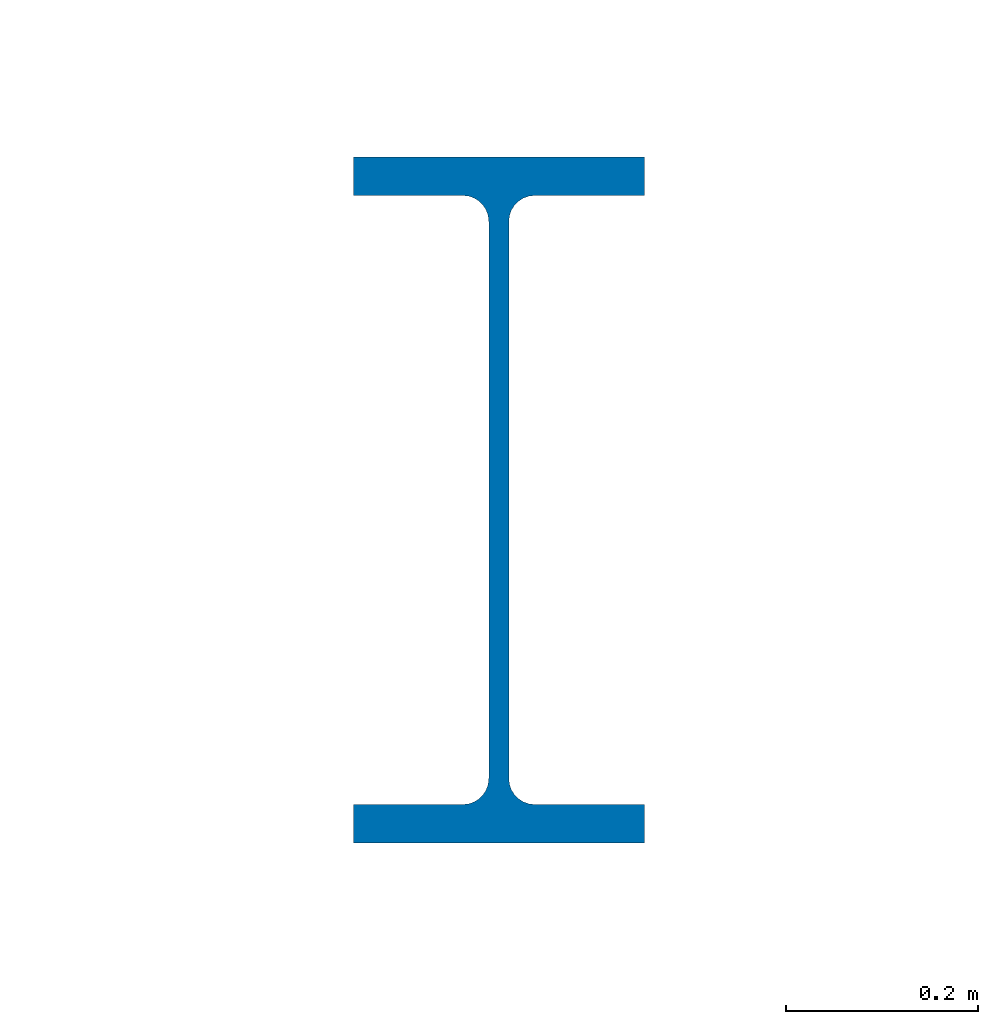
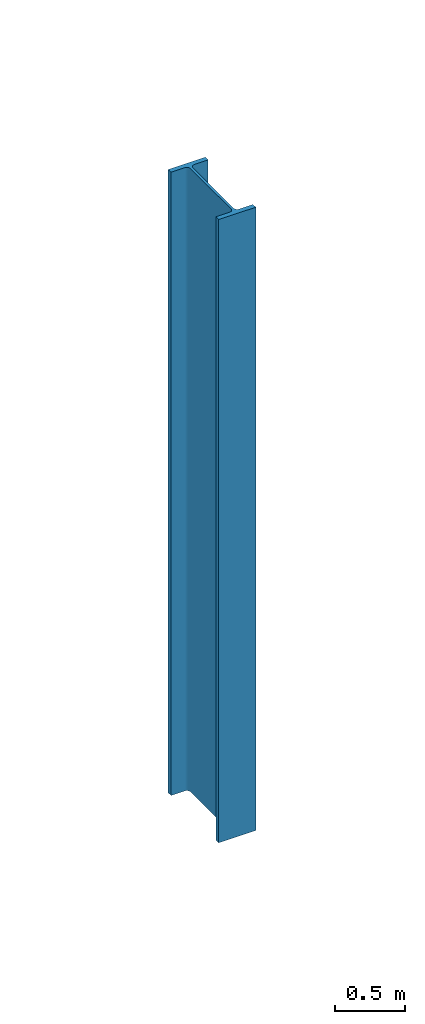
# One storey, part 16 of 84: 1 column.
"""IFC4 building model written with IfcOpenShell, lengths in metres."""

from ifc_helpers import new_model, si_unit, direction, frame, origin, origin_2d, place, context, subcontext, project, spatial, i_section, extrude, material, material_profile, profile_set, type_object, element, save


model = new_model("IFC4")

# Units and contexts
model_context = context("Model", 3, precision=1e-05, world=origin(), true_north=direction((0.0, 1.0)))
body_context = subcontext(model_context, "Body", "Model", "MODEL_VIEW")
ifc_project = project(units=[si_unit("LENGTHUNIT", "METRE"), si_unit("AREAUNIT", "SQUARE_METRE"), si_unit("VOLUMEUNIT", "CUBIC_METRE"), si_unit("PLANEANGLEUNIT", "RADIAN"), si_unit("MASSUNIT", "GRAM", prefix="KILO")], contexts=[model_context])

# Site, building, storey
site_placement = place(None, origin())
site = spatial("IfcSite", under=ifc_project, at=site_placement, CompositionType="ELEMENT")
building_placement = place(site_placement, origin())
building = spatial("IfcBuilding", under=site, at=building_placement, Name="Kimbaza Rail Terminus", CompositionType="ELEMENT")
storey_placement = place(building_placement, frame((0.0, 0.0, 5.39990234375)))
storey = spatial("IfcBuildingStorey", under=building, at=storey_placement, Name="L01", CompositionType="ELEMENT", Elevation=5.39990234375)

# Column
ifc_material = material(Name="Steel S355", Category="steel")
ifc_material_profile = material_profile(ifc_material, i_section(OverallWidth=0.303955078125, OverallDepth=0.716064453125, WebThickness=0.02099609375, FlangeThickness=0.0400390625, FilletRadius=0.027099609375, at=origin_2d()), Name="HEM 700")
ifc_profile_set = profile_set([ifc_material_profile], Name="Steel S355")
column_type = type_object("IfcColumnType", Name="STR-COL-HEM700", PredefinedType="COLUMN", material=ifc_profile_set)
column_placement = place(storey_placement, frame((206.39990234375, 89.8759765625, 0.0), z_axis=(0.0, 0.0, 1.0), x_axis=(1.0, 0.0, 0.0)))
element("IfcColumn", 1, at=column_placement, inside=storey, type_object=column_type, Name="Viaduct Pier Column L01 VP-12", PredefinedType="COLUMN", context=body_context, shape_type="SweptSolid", body=[
    extrude(i_section(OverallWidth=0.303955078125, OverallDepth=0.716064453125, WebThickness=0.02099609375, FlangeThickness=0.0400390625, FilletRadius=0.027099609375, at=origin_2d()), origin(), (0.0, 0.0, 1.0), 5.400146484375),
])

save(model, "model.ifc")
